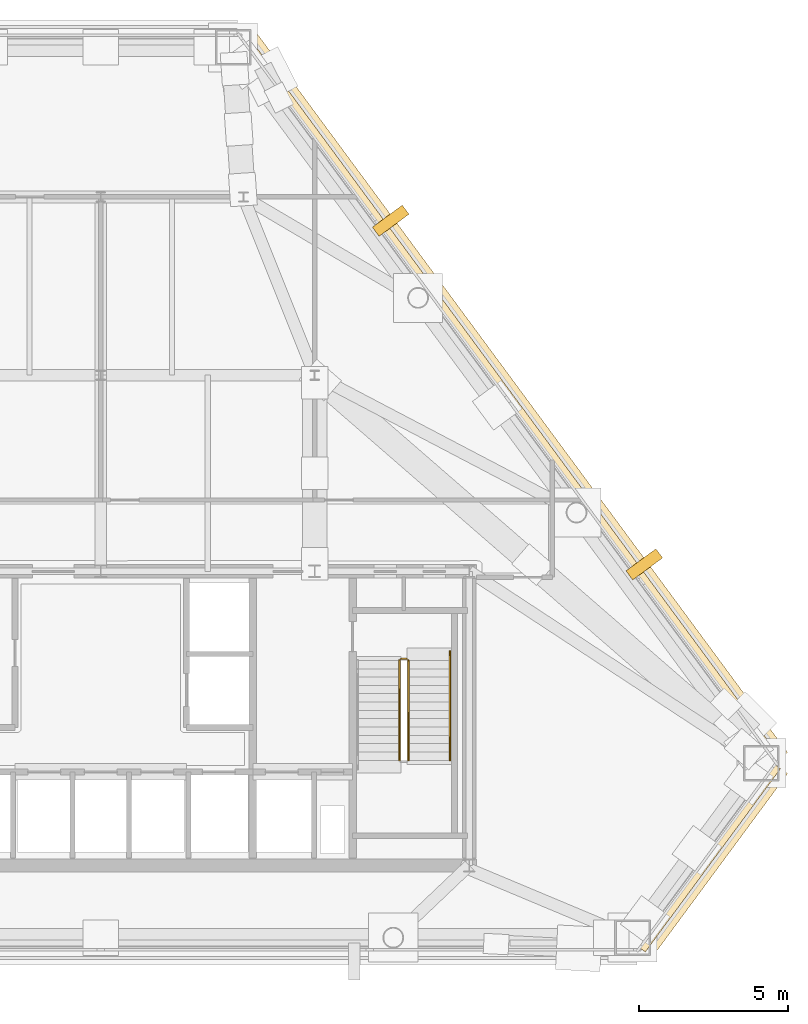
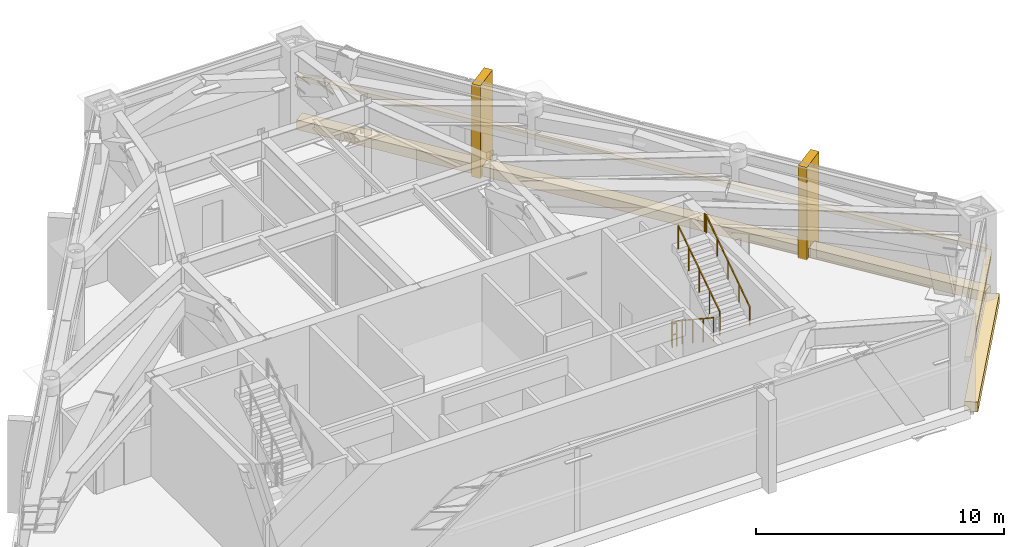
# One storey, part 10 of 10: 6 coverings, 4 railings.
"""IFC4 building model written with IfcOpenShell, lengths in metres."""

from ifc_helpers import new_model, si_unit, direction, frame, origin, origin_2d, place, context, subcontext, project, spatial, rectangle, extrude, material, layer, layer_set, type_object, element, save


model = new_model("IFC4")

# Units and contexts
model_context = context("Model", 3, precision=1e-05, world=origin(), true_north=direction((0.0, 1.0)))
body_context = subcontext(model_context, "Body", "Model", "MODEL_VIEW")
ifc_project = project(units=[si_unit("LENGTHUNIT", "METRE"), si_unit("AREAUNIT", "SQUARE_METRE"), si_unit("VOLUMEUNIT", "CUBIC_METRE"), si_unit("PLANEANGLEUNIT", "RADIAN"), si_unit("MASSUNIT", "GRAM", prefix="KILO")], contexts=[model_context])

# Site, building, storey
site_placement = place(None, origin())
site = spatial("IfcSite", under=ifc_project, at=site_placement, CompositionType="ELEMENT")
building_placement = place(site_placement, origin())
building = spatial("IfcBuilding", under=site, at=building_placement, Name="Talgorran Terracotta Tower", CompositionType="ELEMENT")
storey_placement = place(building_placement, frame((0.0, 0.0, 168.89990234375)))
storey = spatial("IfcBuildingStorey", under=building, at=storey_placement, Name="L44", CompositionType="ELEMENT", Elevation=168.89990234375)

# Coverings
ifc_material_1 = material(Name="Kiln-Fired Terracotta Ochre Ceramic", Category="masonry")
ifc_layer_1 = layer(ifc_material_1, 0.179931640625, Name="COV_BAGUETTE_TERRACOTTA_SCREEN")
ifc_layer_set_1 = layer_set([ifc_layer_1], Name="Kiln-Fired Terracotta Ochre Ceramic")
covering_type_1 = type_object("IfcCoveringType", Name="COV_BAGUETTE_TERRACOTTA_SCREEN", PredefinedType="CLADDING", material=ifc_layer_set_1)
covering_1_placement = place(storey_placement, frame((20.49609375, -13.851806640625, 2.41015625), z_axis=(0.0, 0.0, 1.0), x_axis=(0.593784074712, 0.804624429544, 0.0)))
element("IfcCovering", 1, at=covering_1_placement, inside=storey, type_object=covering_type_1, Name="L44 Terracotta Baguette Solar Screen Assembly F2", PredefinedType="CLADDING", context=body_context, shape_type="SweptSolid", body=[
    extrude(rectangle(XDim=7.6591796875, YDim=0.260009765625, at=origin_2d()), origin(), (0.0, 0.0, 1.0), 0.219970703125),
])
covering_2_placement = place(storey_placement, frame((13.775634765625, 1.6494140625, 2.41015625), z_axis=(0.0, 0.0, 1.0), x_axis=(-0.593784074712, 0.804624429544, 0.0)))
element("IfcCovering", 2, at=covering_2_placement, inside=storey, type_object=covering_type_1, Name="L44 Terracotta Baguette Solar Screen Assembly F3", PredefinedType="CLADDING", context=body_context, shape_type="SweptSolid", body=[
    extrude(rectangle(XDim=30.295654296875, YDim=0.260009765625, at=origin_2d()), origin(), (0.0, 0.0, 1.0), 0.219970703125),
])
ifc_material_2 = material(Name="Honed Limestone Cladding", Category="masonry")
ifc_layer_2 = layer(ifc_material_2, 0.094970703125, Name="COV_PORTAL_LIME")
ifc_layer_set_2 = layer_set([ifc_layer_2], Name="Honed Limestone Cladding")
covering_type_2 = type_object("IfcCoveringType", Name="COV_PORTAL_LIME", PredefinedType="CLADDING", material=ifc_layer_set_2)
covering_3_placement = place(storey_placement, frame((20.60888671875, -13.934814453125, -0.039794921875), z_axis=(0.0, 0.0, 1.0), x_axis=(0.593784074712, 0.804624429544, 0.0)))
element("IfcCovering", 3, at=covering_3_placement, inside=storey, type_object=covering_type_2, Name="L44 Striped Postmodern Portal Cladding Band F2", PredefinedType="CLADDING", context=body_context, shape_type="SweptSolid", body=[
    extrude(rectangle(XDim=7.67919921875, YDim=0.56005859375, at=origin_2d()), origin(), (0.0, 0.0, 1.0), 0.47998046875),
])
covering_4_placement = place(storey_placement, frame((13.88818359375, 1.732421875, -0.039794921875), z_axis=(0.0, 0.0, 1.0), x_axis=(-0.593784074712, 0.804624429544, 0.0)))
element("IfcCovering", 4, at=covering_4_placement, inside=storey, type_object=covering_type_2, Name="L44 Striped Postmodern Portal Cladding Band F3", PredefinedType="CLADDING", context=body_context, shape_type="SweptSolid", body=[
    extrude(rectangle(XDim=30.315673828125, YDim=0.56005859375, at=origin_2d()), origin(), (0.0, 0.0, 1.0), 0.47998046875),
])
covering_5_placement = place(storey_placement, frame((9.757568359375, 7.599365234375, -0.0498046875), z_axis=(0.0, 0.0, 1.0), x_axis=(-0.593784074712, 0.804624429544, 0.0)))
element("IfcCovering", 5, at=covering_5_placement, inside=storey, type_object=covering_type_2, Name="L44 White Striped Portal Fin F3-2", PredefinedType="CLADDING", context=body_context, shape_type="SweptSolid", body=[
    extrude(rectangle(XDim=0.3798828125, YDim=1.25, at=origin_2d()), origin(), (0.0, 0.0, 1.0), 4.570068359375),
])
ifc_material_3 = material(Name="Kiln-Fired Terracotta Cladding", Category="masonry")
ifc_layer_3 = layer(ifc_material_3, 0.090087890625, Name="COV_PORTAL_TERRA")
ifc_layer_set_3 = layer_set([ifc_layer_3], Name="Kiln-Fired Terracotta Cladding")
covering_type_3 = type_object("IfcCoveringType", Name="COV_PORTAL_TERRA", PredefinedType="CLADDING", material=ifc_layer_set_3)
covering_6_placement = place(storey_placement, frame((18.293212890625, -3.966796875, -0.0498046875), z_axis=(0.0, 0.0, 1.0), x_axis=(-0.593784074712, 0.804624429544, 0.0)))
element("IfcCovering", 6, at=covering_6_placement, inside=storey, type_object=covering_type_3, Name="L44 Terracotta Striped Portal Fin F3-1", PredefinedType="CLADDING", context=body_context, shape_type="SweptSolid", body=[
    extrude(rectangle(XDim=0.3798828125, YDim=1.25, at=origin_2d()), origin(), (0.0, 0.0, 1.0), 4.570068359375),
])

# Railings
ifc_material_4 = material(Name="Steel S355 (300PLUS)", Category="steel")
railing_type_1 = type_object("IfcRailingType", Name="RL_HANDRAIL_920", PredefinedType="HANDRAIL", material=ifc_material_4)
railing_1_placement = place(storey_placement, frame((11.75, -10.56005859375, 2.584716796875)))
element("IfcRailing", 7, at=railing_1_placement, inside=storey, type_object=railing_type_1, Name="L44 ST-02 stair handrail 2", PredefinedType="HANDRAIL", context=body_context, shape_type="SweptSolid", body=[
    extrude(rectangle(XDim=0.048095703125, YDim=0.048095703125, at=origin_2d()), frame((0.0, 0.0, 0.89599609375), z_axis=(0.0, 0.827721979786, 0.561138418021), x_axis=(-1.0, 0.0, 0.0)), (0.0, 0.0, 1.0), 4.27685546875),
    extrude(rectangle(XDim=0.048095703125, YDim=0.048095703125, at=origin_2d()), frame((0.0, 3.5400390625, 3.2958984375), z_axis=(0.0, 1.0, 0.0), x_axis=(-1.0, 0.0, 0.0)), (0.0, 0.0, 1.0), 0.1201171875),
    extrude(rectangle(XDim=0.0419921875, YDim=0.0419921875, at=origin_2d()), origin(), (0.0, 0.0, 1.0), 0.871826171875),
    extrude(rectangle(XDim=0.0419921875, YDim=0.0419921875, at=origin_2d()), frame((0.0, 0.885009765625, 0.60009765625)), (0.0, 0.0, 1.0), 0.871826171875),
    extrude(rectangle(XDim=0.0419921875, YDim=0.0419921875, at=origin_2d()), frame((0.0, 1.77001953125, 1.199951171875)), (0.0, 0.0, 1.0), 0.871826171875),
    extrude(rectangle(XDim=0.0419921875, YDim=0.0419921875, at=origin_2d()), frame((0.0, 2.655029296875, 1.7998046875)), (0.0, 0.0, 1.0), 0.871826171875),
    extrude(rectangle(XDim=0.0419921875, YDim=0.0419921875, at=origin_2d()), frame((0.0, 3.5400390625, 2.39990234375)), (0.0, 0.0, 1.0), 0.871826171875),
    extrude(rectangle(XDim=0.0419921875, YDim=0.0419921875, at=origin_2d()), frame((0.0, 3.66015625, 2.39990234375)), (0.0, 0.0, 1.0), 0.871826171875),
])
railing_type_2 = type_object("IfcRailingType", Name="RL_STAIR_GUARD", PredefinedType="GUARDRAIL", material=ifc_material_4)
railing_2_placement = place(storey_placement, frame((10.050048828125, -7.199951171875, 0.184814453125)))
element("IfcRailing", 8, at=railing_2_placement, inside=storey, type_object=railing_type_2, Name="L44 ST-02 stair guard 1", PredefinedType="GUARDRAIL", context=body_context, shape_type="SweptSolid", body=[
    extrude(rectangle(XDim=0.048095703125, YDim=0.048095703125, at=origin_2d()), frame((0.0, 0.0, 1.15576171875), z_axis=(0.0, -0.834876476806, 0.550437342915), x_axis=(1.0, 0.0, 0.0)), (0.0, 0.0, 1.0), 4.024658203125),
    extrude(rectangle(XDim=0.0419921875, YDim=0.0419921875, at=origin_2d()), origin(), (0.0, 0.0, 1.0), 1.1318359375),
    extrude(rectangle(XDim=0.0419921875, YDim=0.0419921875, at=origin_2d()), frame((0.0, -0.840087890625, 0.5537109375)), (0.0, 0.0, 1.0), 1.1318359375),
    extrude(rectangle(XDim=0.0419921875, YDim=0.0419921875, at=origin_2d()), frame((0.0, -1.68017578125, 1.107666015625)), (0.0, 0.0, 1.0), 1.1318359375),
    extrude(rectangle(XDim=0.0419921875, YDim=0.0419921875, at=origin_2d()), frame((0.0, -2.52001953125, 1.66162109375)), (0.0, 0.0, 1.0), 1.1318359375),
    extrude(rectangle(XDim=0.0419921875, YDim=0.0419921875, at=origin_2d()), frame((0.0, -3.360107421875, 2.21533203125)), (0.0, 0.0, 1.0), 1.1318359375),
])
railing_3_placement = place(storey_placement, frame((10.35009765625, -10.56005859375, 2.584716796875)))
element("IfcRailing", 9, at=railing_3_placement, inside=storey, type_object=railing_type_2, Name="L44 ST-02 stair guard 3", PredefinedType="GUARDRAIL", context=body_context, shape_type="SweptSolid", body=[
    extrude(rectangle(XDim=0.048095703125, YDim=0.048095703125, at=origin_2d()), frame((0.0, 0.0, 1.15576171875), z_axis=(0.0, 0.834876476806, 0.550437342915), x_axis=(-1.0, 0.0, 0.0)), (0.0, 0.0, 1.0), 4.024658203125),
    extrude(rectangle(XDim=0.0419921875, YDim=0.0419921875, at=origin_2d()), origin(), (0.0, 0.0, 1.0), 1.1318359375),
    extrude(rectangle(XDim=0.0419921875, YDim=0.0419921875, at=origin_2d()), frame((0.0, 0.840087890625, 0.5537109375)), (0.0, 0.0, 1.0), 1.1318359375),
    extrude(rectangle(XDim=0.0419921875, YDim=0.0419921875, at=origin_2d()), frame((0.0, 1.68017578125, 1.107666015625)), (0.0, 0.0, 1.0), 1.1318359375),
    extrude(rectangle(XDim=0.0419921875, YDim=0.0419921875, at=origin_2d()), frame((0.0, 2.52001953125, 1.66162109375)), (0.0, 0.0, 1.0), 1.1318359375),
    extrude(rectangle(XDim=0.0419921875, YDim=0.0419921875, at=origin_2d()), frame((0.0, 3.360107421875, 2.21533203125)), (0.0, 0.0, 1.0), 1.1318359375),
])
railing_4_placement = place(storey_placement, frame((10.10009765625, -7.14990234375, 0.0)))
element("IfcRailing", 10, at=railing_4_placement, inside=storey, type_object=railing_type_2, Name="L44 ST-02 stair guard 4", PredefinedType="GUARDRAIL", context=body_context, shape_type="SweptSolid", body=[
    extrude(rectangle(XDim=0.048095703125, YDim=0.048095703125, at=origin_2d()), frame((0.0, 0.0, 1.15576171875), z_axis=(1.0, 0.0, 0.0), x_axis=(0.0, 1.0, 0.0)), (0.0, 0.0, 1.0), 0.199951171875),
    extrude(rectangle(XDim=0.048095703125, YDim=0.048095703125, at=origin_2d()), frame((0.0, 0.0, 0.613525390625), z_axis=(1.0, 0.0, 0.0), x_axis=(0.0, 1.0, 0.0)), (0.0, 0.0, 1.0), 0.199951171875),
    extrude(rectangle(XDim=0.0419921875, YDim=0.0419921875, at=origin_2d()), origin(), (0.0, 0.0, 1.0), 1.1318359375),
    extrude(rectangle(XDim=0.0419921875, YDim=0.0419921875, at=origin_2d()), frame((0.199951171875, 0.0, 0.0)), (0.0, 0.0, 1.0), 1.1318359375),
])

save(model, "model.ifc")
